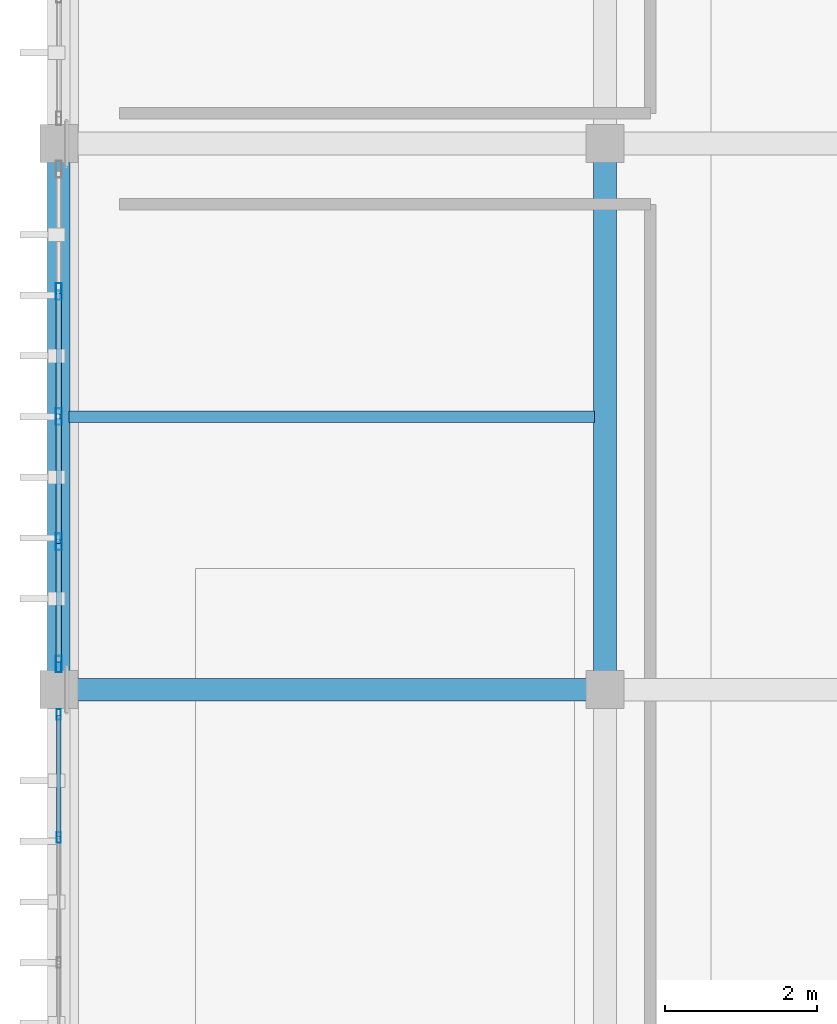
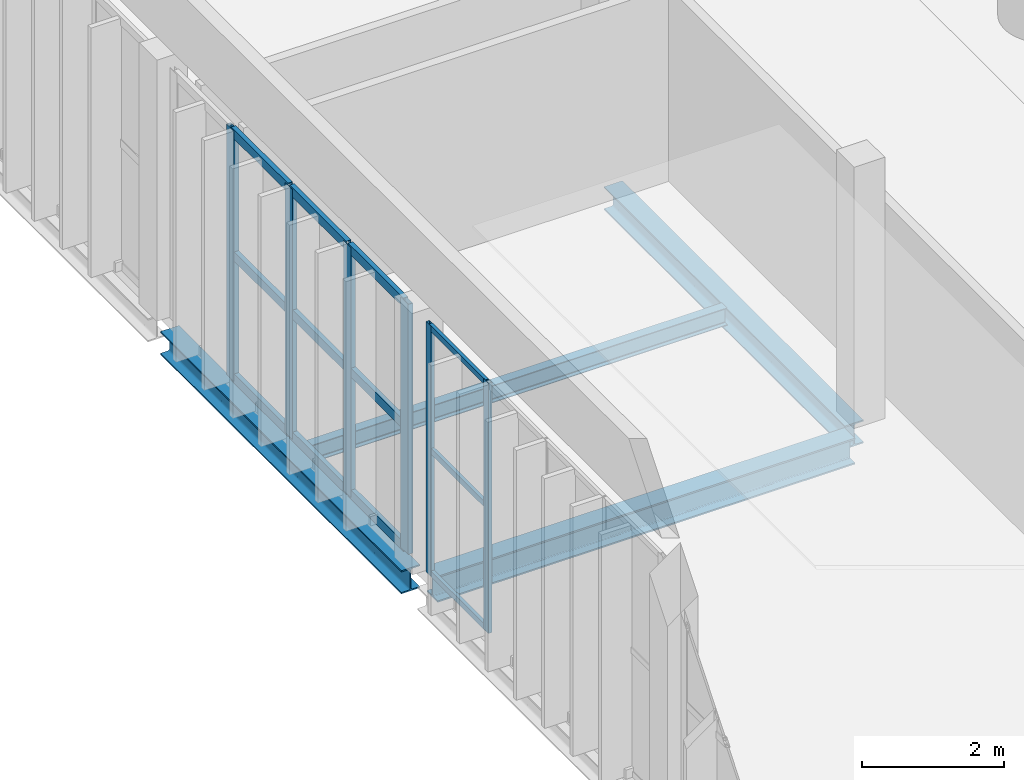
# One storey, part 13 of 64: 18 members, 4 beams, 2 elements without a shape of their own.
"""IFC4 building model written with IfcOpenShell, lengths in metres."""

from ifc_helpers import new_model, si_unit, direction, frame, origin, origin_2d, place, context, subcontext, project, spatial, hollow_rectangle, i_section, extrude, material, material_profile, profile_set, type_object, element, aggregate, save


model = new_model("IFC4")

# Units and contexts
model_context = context("Model", 3, precision=1e-05, world=origin(), true_north=direction((0.0, 1.0)))
body_context = subcontext(model_context, "Body", "Model", "MODEL_VIEW")
ifc_project = project(units=[si_unit("LENGTHUNIT", "METRE"), si_unit("AREAUNIT", "SQUARE_METRE"), si_unit("VOLUMEUNIT", "CUBIC_METRE"), si_unit("PLANEANGLEUNIT", "RADIAN"), si_unit("MASSUNIT", "GRAM", prefix="KILO")], contexts=[model_context])

# Site, building, storey
site_placement = place(None, origin())
site = spatial("IfcSite", under=ifc_project, at=site_placement, CompositionType="ELEMENT")
building_placement = place(site_placement, origin())
building = spatial("IfcBuilding", under=site, at=building_placement, Name="Qandorah Velis Arena", CompositionType="ELEMENT")
storey_placement = place(building_placement, frame((0.0, 0.0, 23.0)))
storey = spatial("IfcBuildingStorey", under=building, at=storey_placement, Name="L05", CompositionType="ELEMENT", Elevation=23.0)

# Curtain wall, members
ifc_material_1 = material(Name="Solar-control low-E double glazing", Category="glass")
curtain_wall_type_1 = type_object("IfcCurtainWallType", Name="ARC-CW-SYS20", PredefinedType="USERDEFINED", material=ifc_material_1)
curtain_wall_1_placement = place(storey_placement, origin())
curtain_wall_1 = element("IfcCurtainWall", 1, at=curtain_wall_1_placement, inside=storey, type_object=curtain_wall_type_1, Name="Unitised curtain wall L05-044", ObjectType="UNITISED CURTAIN WALL", PredefinedType="USERDEFINED")
ifc_material_2 = material(Name="Champagne-bronze anodized aluminium 6063-T6", Category="aluminium")
ifc_material_profile_1 = material_profile(ifc_material_2, hollow_rectangle(XDim=0.054931640625, YDim=0.139892578125, WallThickness=0.0029296875, at=origin_2d()), Name="ALU MULLION 55x140")
ifc_profile_set_1 = profile_set([ifc_material_profile_1], Name="Champagne-bronze anodized aluminium 6063-T6")
member_type_1 = type_object("IfcMemberType", Name="ARC-CWM-140", PredefinedType="MULLION", material=ifc_profile_set_1)
member_1_placement = place(storey_placement, frame((0.0, 48.449951171875, -0.014892578125), z_axis=(0.0, 0.0, 1.0), x_axis=(-1.0, 0.0, 0.0)))
member_1 = element("IfcMember", 2, at=member_1_placement, type_object=member_type_1, Name="CW20 mullion 4", PredefinedType="MULLION", context=body_context, shape_type="SweptSolid", body=[
    extrude(hollow_rectangle(XDim=0.054931640625, YDim=0.139892578125, WallThickness=0.0029296875, at=origin_2d()), origin(), (0.0, 0.0, 1.0), 4.309814453125),
])
member_2_placement = place(storey_placement, frame((0.0, 50.072509765625, -0.014892578125), z_axis=(0.0, 0.0, 1.0), x_axis=(-1.0, 0.0, 0.0)))
member_2 = element("IfcMember", 3, at=member_2_placement, type_object=member_type_1, Name="CW20 mullion 5", PredefinedType="MULLION", context=body_context, shape_type="SweptSolid", body=[
    extrude(hollow_rectangle(XDim=0.054931640625, YDim=0.139892578125, WallThickness=0.0029296875, at=origin_2d()), origin(), (0.0, 0.0, 1.0), 4.309814453125),
])

curtain_wall_type_2 = type_object("IfcCurtainWallType", Name="ARC-CW-SYS21", PredefinedType="USERDEFINED", material=ifc_material_1)
curtain_wall_2_placement = place(storey_placement, origin())
curtain_wall_2 = element("IfcCurtainWall", 4, at=curtain_wall_2_placement, inside=storey, type_object=curtain_wall_type_2, Name="Unitised curtain wall L05-045", ObjectType="UNITISED CURTAIN WALL", PredefinedType="USERDEFINED")
ifc_material_profile_2 = material_profile(ifc_material_2, hollow_rectangle(XDim=0.074951171875, YDim=0.219970703125, WallThickness=0.00390625, at=origin_2d()), Name="ALU MULLION 75x220")
ifc_profile_set_2 = profile_set([ifc_material_profile_2], Name="Champagne-bronze anodized aluminium 6063-T6")
member_type_2 = type_object("IfcMemberType", Name="ARC-CWM-220", PredefinedType="MULLION", material=ifc_profile_set_2)
member_3_placement = place(storey_placement, frame((0.0, 50.737548828125, -0.014892578125), z_axis=(0.0, 0.0, 1.0), x_axis=(-1.0, 0.0, 0.0)))
member_3 = element("IfcMember", 5, at=member_3_placement, type_object=member_type_2, Name="CW21 mullion 1", PredefinedType="MULLION", context=body_context, shape_type="SweptSolid", body=[
    extrude(hollow_rectangle(XDim=0.074951171875, YDim=0.219970703125, WallThickness=0.00390625, at=origin_2d()), origin(), (0.0, 0.0, 1.0), 4.309814453125),
])
member_4_placement = place(storey_placement, frame((0.0, 52.35009765625, -0.014892578125), z_axis=(0.0, 0.0, 1.0), x_axis=(-1.0, 0.0, 0.0)))
member_4 = element("IfcMember", 6, at=member_4_placement, type_object=member_type_2, Name="CW21 mullion 2", PredefinedType="MULLION", context=body_context, shape_type="SweptSolid", body=[
    extrude(hollow_rectangle(XDim=0.074951171875, YDim=0.219970703125, WallThickness=0.00390625, at=origin_2d()), origin(), (0.0, 0.0, 1.0), 4.309814453125),
])
member_5_placement = place(storey_placement, frame((0.0, 54.0, -0.014892578125), z_axis=(0.0, 0.0, 1.0), x_axis=(-1.0, 0.0, 0.0)))
member_5 = element("IfcMember", 7, at=member_5_placement, type_object=member_type_2, Name="CW21 mullion 3", PredefinedType="MULLION", context=body_context, shape_type="SweptSolid", body=[
    extrude(hollow_rectangle(XDim=0.074951171875, YDim=0.219970703125, WallThickness=0.00390625, at=origin_2d()), origin(), (0.0, 0.0, 1.0), 4.309814453125),
])
member_6_placement = place(storey_placement, frame((0.0, 55.64990234375, -0.014892578125), z_axis=(0.0, 0.0, 1.0), x_axis=(-1.0, 0.0, 0.0)))
member_6 = element("IfcMember", 8, at=member_6_placement, type_object=member_type_2, Name="CW21 mullion 4", PredefinedType="MULLION", context=body_context, shape_type="SweptSolid", body=[
    extrude(hollow_rectangle(XDim=0.074951171875, YDim=0.219970703125, WallThickness=0.00390625, at=origin_2d()), origin(), (0.0, 0.0, 1.0), 4.309814453125),
])

# Member
ifc_material_profile_3 = material_profile(ifc_material_2, hollow_rectangle(XDim=0.054931640625, YDim=0.10009765625, WallThickness=0.0029296875, at=origin_2d()), Name="ALU TRANSOM 55x100")
ifc_profile_set_3 = profile_set([ifc_material_profile_3], Name="Champagne-bronze anodized aluminium 6063-T6")
member_type_3 = type_object("IfcMemberType", Name="ARC-CWT-100", PredefinedType="USERDEFINED", material=ifc_profile_set_3)
member_7_placement = place(storey_placement, frame((0.0, 48.465576171875, 0.027587890625), z_axis=(0.0, 1.0, 0.0), x_axis=(-1.0, 0.0, 0.0)))
member_7 = element("IfcMember", 9, at=member_7_placement, type_object=member_type_3, Name="CW20 transom 4.1", ObjectType="TRANSOM", PredefinedType="USERDEFINED", context=body_context, shape_type="SweptSolid", body=[
    extrude(hollow_rectangle(XDim=0.054931640625, YDim=0.10009765625, WallThickness=0.0029296875, at=origin_2d()), origin(), (0.0, 0.0, 1.0), 1.59130859375),
])

member_8_placement = place(storey_placement, frame((0.0, 48.465576171875, 2.139892578125), z_axis=(0.0, 1.0, 0.0), x_axis=(-1.0, 0.0, 0.0)))
member_8 = element("IfcMember", 10, at=member_8_placement, type_object=member_type_3, Name="CW20 transom 4.2", ObjectType="TRANSOM", PredefinedType="USERDEFINED", context=body_context, shape_type="SweptSolid", body=[
    extrude(hollow_rectangle(XDim=0.054931640625, YDim=0.10009765625, WallThickness=0.0029296875, at=origin_2d()), origin(), (0.0, 0.0, 1.0), 1.59130859375),
])

member_9_placement = place(storey_placement, frame((0.0, 48.465576171875, 4.25244140625), z_axis=(0.0, 1.0, 0.0), x_axis=(-1.0, 0.0, 0.0)))
member_9 = element("IfcMember", 11, at=member_9_placement, type_object=member_type_3, Name="CW20 transom 4.3", ObjectType="TRANSOM", PredefinedType="USERDEFINED", context=body_context, shape_type="SweptSolid", body=[
    extrude(hollow_rectangle(XDim=0.054931640625, YDim=0.10009765625, WallThickness=0.0029296875, at=origin_2d()), origin(), (0.0, 0.0, 1.0), 1.59130859375),
])

aggregate(curtain_wall_1, [member_1, member_2, member_7, member_8, member_9])

ifc_material_profile_4 = material_profile(ifc_material_2, hollow_rectangle(XDim=0.074951171875, YDim=0.159912109375, WallThickness=0.00341796875, at=origin_2d()), Name="ALU TRANSOM 75x160")
ifc_profile_set_4 = profile_set([ifc_material_profile_4], Name="Champagne-bronze anodized aluminium 6063-T6")
member_type_4 = type_object("IfcMemberType", Name="ARC-CWT-160", PredefinedType="USERDEFINED", material=ifc_profile_set_4)
member_10_placement = place(storey_placement, frame((0.0, 50.762939453125, 0.03759765625), z_axis=(0.0, 1.0, 0.0), x_axis=(-1.0, 0.0, 0.0)))
member_10 = element("IfcMember", 12, at=member_10_placement, type_object=member_type_4, Name="CW21 transom 1.1", ObjectType="TRANSOM", PredefinedType="USERDEFINED", context=body_context, shape_type="SweptSolid", body=[
    extrude(hollow_rectangle(XDim=0.074951171875, YDim=0.159912109375, WallThickness=0.00341796875, at=origin_2d()), origin(), (0.0, 0.0, 1.0), 1.5615234375),
])

member_11_placement = place(storey_placement, frame((0.0, 50.762939453125, 2.139892578125), z_axis=(0.0, 1.0, 0.0), x_axis=(-1.0, 0.0, 0.0)))
member_11 = element("IfcMember", 13, at=member_11_placement, type_object=member_type_4, Name="CW21 transom 1.2", ObjectType="TRANSOM", PredefinedType="USERDEFINED", context=body_context, shape_type="SweptSolid", body=[
    extrude(hollow_rectangle(XDim=0.074951171875, YDim=0.159912109375, WallThickness=0.00341796875, at=origin_2d()), origin(), (0.0, 0.0, 1.0), 1.5615234375),
])

member_12_placement = place(storey_placement, frame((0.0, 50.762939453125, 4.242431640625), z_axis=(0.0, 1.0, 0.0), x_axis=(-1.0, 0.0, 0.0)))
member_12 = element("IfcMember", 14, at=member_12_placement, type_object=member_type_4, Name="CW21 transom 1.3", ObjectType="TRANSOM", PredefinedType="USERDEFINED", context=body_context, shape_type="SweptSolid", body=[
    extrude(hollow_rectangle(XDim=0.074951171875, YDim=0.159912109375, WallThickness=0.00341796875, at=origin_2d()), origin(), (0.0, 0.0, 1.0), 1.5615234375),
])

member_13_placement = place(storey_placement, frame((0.0, 52.37548828125, 0.03759765625), z_axis=(0.0, 1.0, 0.0), x_axis=(-1.0, 0.0, 0.0)))
member_13 = element("IfcMember", 15, at=member_13_placement, type_object=member_type_4, Name="CW21 transom 2.1", ObjectType="TRANSOM", PredefinedType="USERDEFINED", context=body_context, shape_type="SweptSolid", body=[
    extrude(hollow_rectangle(XDim=0.074951171875, YDim=0.159912109375, WallThickness=0.00341796875, at=origin_2d()), origin(), (0.0, 0.0, 1.0), 1.59912109375),
])

member_14_placement = place(storey_placement, frame((0.0, 52.37548828125, 2.139892578125), z_axis=(0.0, 1.0, 0.0), x_axis=(-1.0, 0.0, 0.0)))
member_14 = element("IfcMember", 16, at=member_14_placement, type_object=member_type_4, Name="CW21 transom 2.2", ObjectType="TRANSOM", PredefinedType="USERDEFINED", context=body_context, shape_type="SweptSolid", body=[
    extrude(hollow_rectangle(XDim=0.074951171875, YDim=0.159912109375, WallThickness=0.00341796875, at=origin_2d()), origin(), (0.0, 0.0, 1.0), 1.59912109375),
])

member_15_placement = place(storey_placement, frame((0.0, 52.37548828125, 4.242431640625), z_axis=(0.0, 1.0, 0.0), x_axis=(-1.0, 0.0, 0.0)))
member_15 = element("IfcMember", 17, at=member_15_placement, type_object=member_type_4, Name="CW21 transom 2.3", ObjectType="TRANSOM", PredefinedType="USERDEFINED", context=body_context, shape_type="SweptSolid", body=[
    extrude(hollow_rectangle(XDim=0.074951171875, YDim=0.159912109375, WallThickness=0.00341796875, at=origin_2d()), origin(), (0.0, 0.0, 1.0), 1.59912109375),
])

member_16_placement = place(storey_placement, frame((0.0, 54.025390625, 0.03759765625), z_axis=(0.0, 1.0, 0.0), x_axis=(-1.0, 0.0, 0.0)))
member_16 = element("IfcMember", 18, at=member_16_placement, type_object=member_type_4, Name="CW21 transom 3.1", ObjectType="TRANSOM", PredefinedType="USERDEFINED", context=body_context, shape_type="SweptSolid", body=[
    extrude(hollow_rectangle(XDim=0.074951171875, YDim=0.159912109375, WallThickness=0.00341796875, at=origin_2d()), origin(), (0.0, 0.0, 1.0), 1.59912109375),
])

member_17_placement = place(storey_placement, frame((0.0, 54.025390625, 2.139892578125), z_axis=(0.0, 1.0, 0.0), x_axis=(-1.0, 0.0, 0.0)))
member_17 = element("IfcMember", 19, at=member_17_placement, type_object=member_type_4, Name="CW21 transom 3.2", ObjectType="TRANSOM", PredefinedType="USERDEFINED", context=body_context, shape_type="SweptSolid", body=[
    extrude(hollow_rectangle(XDim=0.074951171875, YDim=0.159912109375, WallThickness=0.00341796875, at=origin_2d()), origin(), (0.0, 0.0, 1.0), 1.59912109375),
])

member_18_placement = place(storey_placement, frame((0.0, 54.025390625, 4.242431640625), z_axis=(0.0, 1.0, 0.0), x_axis=(-1.0, 0.0, 0.0)))
member_18 = element("IfcMember", 20, at=member_18_placement, type_object=member_type_4, Name="CW21 transom 3.3", ObjectType="TRANSOM", PredefinedType="USERDEFINED", context=body_context, shape_type="SweptSolid", body=[
    extrude(hollow_rectangle(XDim=0.074951171875, YDim=0.159912109375, WallThickness=0.00341796875, at=origin_2d()), origin(), (0.0, 0.0, 1.0), 1.59912109375),
])

aggregate(curtain_wall_2, [member_3, member_4, member_5, member_6, member_10, member_11, member_12, member_13, member_14, member_15, member_16, member_17, member_18])

# Beams
ifc_material_3 = material(Name="Steel S355", Category="steel")
ifc_material_profile_5 = material_profile(ifc_material_3, i_section(OverallWidth=0.300048828125, OverallDepth=0.39990234375, WebThickness=0.013427734375, FlangeThickness=0.02392578125, FilletRadius=0.027099609375, at=origin_2d()), Name="HEB 400")
ifc_profile_set_5 = profile_set([ifc_material_profile_5], Name="Steel S355")
beam_type_1 = type_object("IfcBeamType", Name="STR-BM-HEB400", PredefinedType="BEAM", material=ifc_profile_set_5)
for number, where, z_axis, x_axis, name in (
    (21, (0.0, 50.625, -0.449951171875), (0.0, 1.0, 0.0), (-1.0, 0.0, 0.0), "Primary floor girder L05 Y-118"),
    (22, (7.199951171875, 50.57861328125, -0.449951171875), (0.0, 1.0, 0.0), (-1.0, 0.0, 0.0), "Primary floor girder L05 Y-130"),
):
    element("IfcBeam", number, at=place(storey_placement, frame(where, z_axis=z_axis, x_axis=x_axis)), inside=storey, type_object=beam_type_1, Name=name, PredefinedType="BEAM", context=body_context, shape_type="SweptSolid", body=[
        extrude(i_section(OverallWidth=0.300048828125, OverallDepth=0.39990234375, WebThickness=0.013427734375, FlangeThickness=0.02392578125, FilletRadius=0.027099609375, at=origin_2d()), origin(), (0.0, 0.0, 1.0), 6.79638671875),
    ])
ifc_material_profile_6 = material_profile(ifc_material_3, i_section(OverallWidth=0.300048828125, OverallDepth=0.449951171875, WebThickness=0.013916015625, FlangeThickness=0.02587890625, FilletRadius=0.027099609375, at=origin_2d()), Name="HEB 450")
ifc_profile_set_6 = profile_set([ifc_material_profile_6], Name="Steel S355")
beam_type_2 = type_object("IfcBeamType", Name="STR-BM-HEB450", PredefinedType="BEAM", material=ifc_profile_set_6)
beam_1_placement = place(storey_placement, frame((0.22509765625, 50.39990234375, -0.47509765625), z_axis=(1.0, 0.0, 0.0), x_axis=(0.0, 1.0, 0.0)))
element("IfcBeam", 23, at=beam_1_placement, inside=storey, type_object=beam_type_2, Name="Primary floor girder L05 X-050", PredefinedType="BEAM", context=body_context, shape_type="SweptSolid", body=[
    extrude(i_section(OverallWidth=0.300048828125, OverallDepth=0.449951171875, WebThickness=0.013916015625, FlangeThickness=0.02587890625, FilletRadius=0.027099609375, at=origin_2d()), origin(), (0.0, 0.0, 1.0), 6.79638671875),
])
ifc_material_profile_7 = material_profile(ifc_material_3, i_section(OverallWidth=0.14990234375, OverallDepth=0.300048828125, WebThickness=0.007080078125, FlangeThickness=0.0107421875, FilletRadius=0.014892578125, at=origin_2d()), Name="IPE 300")
ifc_profile_set_7 = profile_set([ifc_material_profile_7], Name="Steel S355")
beam_type_3 = type_object("IfcBeamType", Name="STR-JST-IPE300", PredefinedType="JOIST", material=ifc_profile_set_7)
beam_2_placement = place(storey_placement, frame((0.135009765625, 54.0, -0.39990234375), z_axis=(1.0, 0.0, 0.0), x_axis=(0.0, 1.0, 0.0)))
element("IfcBeam", 24, at=beam_2_placement, inside=storey, type_object=beam_type_3, Name="Secondary floor joist L05-003", PredefinedType="JOIST", context=body_context, shape_type="SweptSolid", body=[
    extrude(i_section(OverallWidth=0.14990234375, OverallDepth=0.300048828125, WebThickness=0.007080078125, FlangeThickness=0.0107421875, FilletRadius=0.014892578125, at=origin_2d()), origin(), (0.0, 0.0, 1.0), 6.929931640625),
])

save(model, "model.ifc")
